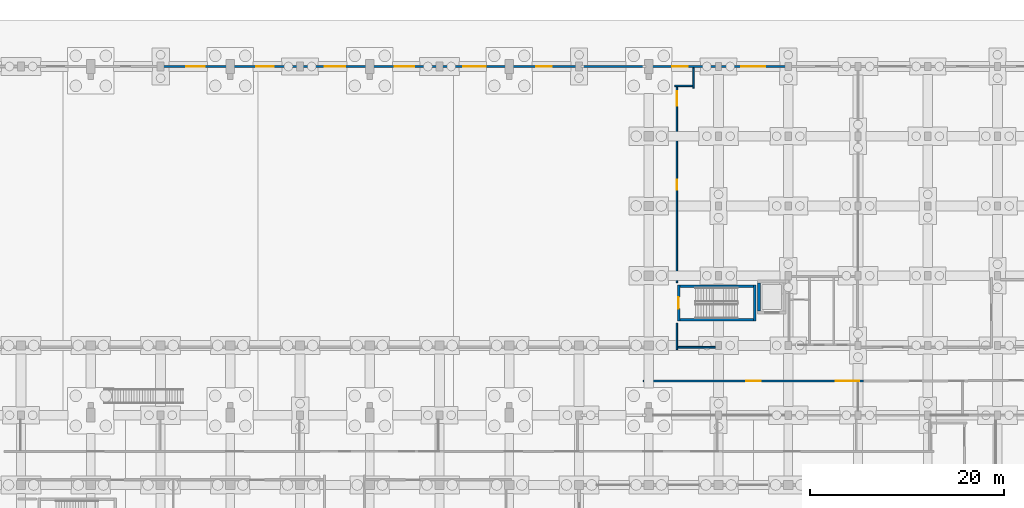
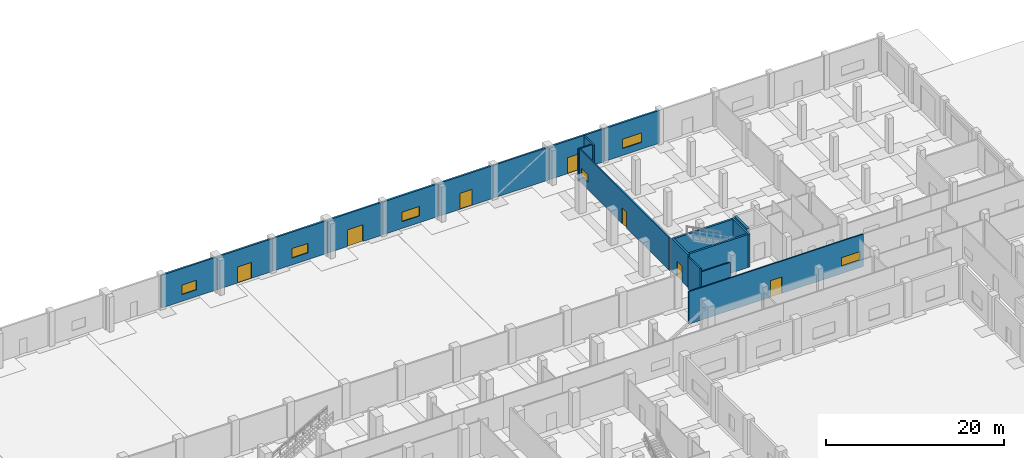
# One storey, part 30 of 48: 20 walls, 7 doors, 6 windows, 13 openings.
"""IFC4 building model written with IfcOpenShell, lengths in metres."""

from ifc_helpers import new_model, si_unit, direction, frame, frame_2d, origin, place, context, subcontext, project, spatial, rectangle, extrude, material, layer, layer_set, type_object, element, fill, save


model = new_model("IFC4")

# Units and contexts
model_context = context("Model", 3, precision=1e-05, world=origin(), true_north=direction((0.0, 1.0)))
body_context = subcontext(model_context, "Body", "Model", "MODEL_VIEW")
ifc_project = project(units=[si_unit("LENGTHUNIT", "METRE"), si_unit("AREAUNIT", "SQUARE_METRE"), si_unit("VOLUMEUNIT", "CUBIC_METRE"), si_unit("PLANEANGLEUNIT", "RADIAN"), si_unit("MASSUNIT", "GRAM", prefix="KILO")], contexts=[model_context])

# Site, building, storey
site_placement = place(None, origin())
site = spatial("IfcSite", under=ifc_project, at=site_placement, CompositionType="ELEMENT")
building_placement = place(site_placement, origin())
building = spatial("IfcBuilding", under=site, at=building_placement, Name="Seraya Terrace Polytechnic", CompositionType="ELEMENT")
storey_placement = place(building_placement, origin())
storey = spatial("IfcBuildingStorey", under=building, at=storey_placement, Name="L00", CompositionType="ELEMENT", Elevation=0.0)

# Wall, opening, window
ifc_material_1 = material(Name="Concrete C40/50", Category="concrete")
ifc_layer_1 = layer(ifc_material_1, 0.239990234375, Name="EW-04")
ifc_layer_set_1 = layer_set([ifc_layer_1], Name="Concrete C40/50")
wall_type_1 = type_object("IfcWallType", Name="EW-04", PredefinedType="SOLIDWALL", material=ifc_layer_set_1)
wall_1_placement = place(storey_placement, frame((64.800048828125, 115.199951171875, 0.0), z_axis=(0.0, 0.0, 1.0), x_axis=(1.0, 0.0, 0.0)))
wall_1 = element("IfcWall", 1, at=wall_1_placement, inside=storey, type_object=wall_type_1, Name="Exterior structural wall EW-04 L00", PredefinedType="SOLIDWALL", context=body_context, shape_type="SweptSolid", body=[
    extrude(rectangle(XDim=7.199951171875, YDim=0.239990234375, at=frame_2d((3.60009765625, 0.0))), origin(), (0.0, 0.0, 1.0), 4.52001953125),
])
opening_1_placement = place(wall_1_placement, frame((2.64990234375, 0.0, 0.949951171875)))
opening_1 = element("IfcOpeningElement", 2, at=opening_1_placement, cuts=wall_1, Name="Opening WN-07", PredefinedType="OPENING", context=body_context, shape_type="SweptSolid", body=[
    extrude(rectangle(XDim=1.89990234375, YDim=1.300048828125, at=frame_2d((0.949951171875, 0.64990234375))), frame((0.0, 0.1318359375, 0.0), z_axis=(0.0, -1.0, 0.0), x_axis=(1.0, 0.0, 0.0)), (0.0, 0.0, 1.0), 0.263916015625),
])
ifc_material_2 = material(Name="Laminated solar-control Low-E double glazing", Category="glass")
window_type_1 = type_object("IfcWindowType", Name="WN-07", PartitioningType="SINGLE_PANEL", PredefinedType="WINDOW", material=ifc_material_2)
window_1_placement = place(opening_1_placement, origin())
window_1 = element("IfcWindow", 3, at=window_1_placement, inside=storey, type_object=window_type_1, Name="Exterior window WN-07 L00", OverallHeight=1.300048828125, OverallWidth=1.89990234375, PartitioningType="SINGLE_PANEL", PredefinedType="WINDOW", context=body_context, shape_type="SweptSolid", body=[
    extrude(rectangle(XDim=1.89990234375, YDim=1.300048828125, at=frame_2d((0.949951171875, 0.64990234375))), frame((0.0, 0.030029296875, 0.0), z_axis=(0.0, -1.0, 0.0), x_axis=(1.0, 0.0, 0.0)), (0.0, 0.0, 1.0), 0.06005859375),
])
fill(opening_1, window_1)

# Wall, opening, door
wall_2_placement = place(storey_placement, frame((72.0, 115.199951171875, 0.0), z_axis=(0.0, 0.0, 1.0), x_axis=(1.0, 0.0, 0.0)))
wall_2 = element("IfcWall", 4, at=wall_2_placement, inside=storey, type_object=wall_type_1, Name="Exterior structural wall EW-04 L00", PredefinedType="SOLIDWALL", context=body_context, shape_type="SweptSolid", body=[
    extrude(rectangle(XDim=7.199951171875, YDim=0.239990234375, at=frame_2d((3.60009765625, 0.0))), origin(), (0.0, 0.0, 1.0), 4.52001953125),
])
opening_2_placement = place(wall_2_placement, frame((2.699951171875, 0.0, 0.0)))
opening_2 = element("IfcOpeningElement", 5, at=opening_2_placement, cuts=wall_2, Name="Opening ED-01", PredefinedType="OPENING", context=body_context, shape_type="SweptSolid", body=[
    extrude(rectangle(XDim=1.800048828125, YDim=2.199951171875, at=frame_2d((0.89990234375, 1.10009765625))), frame((0.0, 0.1318359375, 0.0), z_axis=(0.0, -1.0, 0.0), x_axis=(1.0, 0.0, 0.0)), (0.0, 0.0, 1.0), 0.263916015625),
])
ifc_material_3 = material(Name="Anodised aluminium EN AW-6063 T6", Category="aluminium")
door_type_1 = type_object("IfcDoorType", Name="ED-01", OperationType="DOUBLE_DOOR_SINGLE_SWING", PredefinedType="DOOR", material=ifc_material_3)
door_1_placement = place(opening_2_placement, origin())
door_1 = element("IfcDoor", 6, at=door_1_placement, inside=storey, type_object=door_type_1, Name="Door ED-01 DR-EXIT-L00-009 in WL-EXT-L00-04-08", OperationType="DOUBLE_DOOR_SINGLE_SWING", OverallHeight=2.199951171875, OverallWidth=1.800048828125, PredefinedType="DOOR", context=body_context, shape_type="SweptSolid", body=[
    extrude(rectangle(XDim=1.800048828125, YDim=2.199951171875, at=frame_2d((0.89990234375, 1.10009765625))), frame((0.0, 0.02490234375, 0.0), z_axis=(0.0, -1.0, 0.0), x_axis=(1.0, 0.0, 0.0)), (0.0, 0.0, 1.0), 0.050048828125),
])
fill(opening_2, door_1)

# Wall, opening, window
wall_3_placement = place(storey_placement, frame((79.199951171875, 115.199951171875, 0.0), z_axis=(0.0, 0.0, 1.0), x_axis=(1.0, 0.0, 0.0)))
wall_3 = element("IfcWall", 7, at=wall_3_placement, inside=storey, type_object=wall_type_1, Name="Exterior structural wall EW-04 L00", PredefinedType="SOLIDWALL", context=body_context, shape_type="SweptSolid", body=[
    extrude(rectangle(XDim=7.199951171875, YDim=0.239990234375, at=frame_2d((3.60009765625, 0.0))), origin(), (0.0, 0.0, 1.0), 4.52001953125),
])
opening_3_placement = place(wall_3_placement, frame((2.550048828125, 0.0, 0.949951171875)))
opening_3 = element("IfcOpeningElement", 8, at=opening_3_placement, cuts=wall_3, Name="Opening WN-08", PredefinedType="OPENING", context=body_context, shape_type="SweptSolid", body=[
    extrude(rectangle(XDim=2.10009765625, YDim=1.300048828125, at=frame_2d((1.050048828125, 0.64990234375))), frame((0.0, 0.1318359375, 0.0), z_axis=(0.0, -1.0, 0.0), x_axis=(1.0, 0.0, 0.0)), (0.0, 0.0, 1.0), 0.263916015625),
])
window_type_2 = type_object("IfcWindowType", Name="WN-08", PartitioningType="SINGLE_PANEL", PredefinedType="WINDOW", material=ifc_material_2)
window_2_placement = place(opening_3_placement, origin())
window_2 = element("IfcWindow", 9, at=window_2_placement, inside=storey, type_object=window_type_2, Name="Exterior window WN-08 L00", OverallHeight=1.300048828125, OverallWidth=2.10009765625, PartitioningType="SINGLE_PANEL", PredefinedType="WINDOW", context=body_context, shape_type="SweptSolid", body=[
    extrude(rectangle(XDim=2.10009765625, YDim=1.300048828125, at=frame_2d((1.050048828125, 0.64990234375))), frame((0.0, 0.030029296875, 0.0), z_axis=(0.0, -1.0, 0.0), x_axis=(1.0, 0.0, 0.0)), (0.0, 0.0, 1.0), 0.06005859375),
])
fill(opening_3, window_2)

# Wall, opening, door
wall_4_placement = place(storey_placement, frame((86.39990234375, 115.199951171875, 0.0), z_axis=(0.0, 0.0, 1.0), x_axis=(1.0, 0.0, 0.0)))
wall_4 = element("IfcWall", 10, at=wall_4_placement, inside=storey, type_object=wall_type_1, Name="Exterior structural wall EW-04 L00", PredefinedType="SOLIDWALL", context=body_context, shape_type="SweptSolid", body=[
    extrude(rectangle(XDim=7.2001953125, YDim=0.239990234375, at=frame_2d((3.60009765625, 0.0))), origin(), (0.0, 0.0, 1.0), 4.52001953125),
])
opening_4_placement = place(wall_4_placement, frame((2.60009765625, 0.0, 0.0)))
opening_4 = element("IfcOpeningElement", 11, at=opening_4_placement, cuts=wall_4, Name="Opening ED-02", PredefinedType="OPENING", context=body_context, shape_type="SweptSolid", body=[
    extrude(rectangle(XDim=2.0, YDim=2.300048828125, at=frame_2d((1.0, 1.14990234375))), frame((0.0, 0.1318359375, 0.0), z_axis=(0.0, -1.0, 0.0), x_axis=(1.0, 0.0, 0.0)), (0.0, 0.0, 1.0), 0.263916015625),
])
door_type_2 = type_object("IfcDoorType", Name="ED-02", OperationType="DOUBLE_DOOR_SINGLE_SWING", PredefinedType="DOOR", material=ifc_material_3)
door_2_placement = place(opening_4_placement, origin())
door_2 = element("IfcDoor", 12, at=door_2_placement, inside=storey, type_object=door_type_2, Name="Door ED-02 DR-EXIT-L00-010 in WL-EXT-L00-04-10", OperationType="DOUBLE_DOOR_SINGLE_SWING", OverallHeight=2.300048828125, OverallWidth=2.0, PredefinedType="DOOR", context=body_context, shape_type="SweptSolid", body=[
    extrude(rectangle(XDim=2.0, YDim=2.300048828125, at=frame_2d((1.0, 1.14990234375))), frame((0.0, 0.02490234375, 0.0), z_axis=(0.0, -1.0, 0.0), x_axis=(1.0, 0.0, 0.0)), (0.0, 0.0, 1.0), 0.050048828125),
])
fill(opening_4, door_2)

# Wall, opening, window
wall_5_placement = place(storey_placement, frame((93.60009765625, 115.199951171875, 0.0), z_axis=(0.0, 0.0, 1.0), x_axis=(1.0, 0.0, 0.0)))
wall_5 = element("IfcWall", 13, at=wall_5_placement, inside=storey, type_object=wall_type_1, Name="Exterior structural wall EW-04 L00", PredefinedType="SOLIDWALL", context=body_context, shape_type="SweptSolid", body=[
    extrude(rectangle(XDim=7.199951171875, YDim=0.239990234375, at=frame_2d((3.60009765625, 0.0))), origin(), (0.0, 0.0, 1.0), 4.52001953125),
])
opening_5_placement = place(wall_5_placement, frame((2.449951171875, 0.0, 0.949951171875)))
opening_5 = element("IfcOpeningElement", 14, at=opening_5_placement, cuts=wall_5, Name="Opening WN-09", PredefinedType="OPENING", context=body_context, shape_type="SweptSolid", body=[
    extrude(rectangle(XDim=2.300048828125, YDim=1.300048828125, at=frame_2d((1.14990234375, 0.64990234375))), frame((0.0, 0.1318359375, 0.0), z_axis=(0.0, -1.0, 0.0), x_axis=(1.0, 0.0, 0.0)), (0.0, 0.0, 1.0), 0.263916015625),
])
window_type_3 = type_object("IfcWindowType", Name="WN-09", PartitioningType="SINGLE_PANEL", PredefinedType="WINDOW", material=ifc_material_2)
window_3_placement = place(opening_5_placement, origin())
window_3 = element("IfcWindow", 15, at=window_3_placement, inside=storey, type_object=window_type_3, Name="Exterior window WN-09 L00", OverallHeight=1.300048828125, OverallWidth=2.300048828125, PartitioningType="SINGLE_PANEL", PredefinedType="WINDOW", context=body_context, shape_type="SweptSolid", body=[
    extrude(rectangle(XDim=2.300048828125, YDim=1.300048828125, at=frame_2d((1.14990234375, 0.64990234375))), frame((0.0, 0.030029296875, 0.0), z_axis=(0.0, -1.0, 0.0), x_axis=(1.0, 0.0, 0.0)), (0.0, 0.0, 1.0), 0.06005859375),
])
fill(opening_5, window_3)

# Wall, opening, door
wall_6_placement = place(storey_placement, frame((100.800048828125, 115.199951171875, 0.0), z_axis=(0.0, 0.0, 1.0), x_axis=(1.0, 0.0, 0.0)))
wall_6 = element("IfcWall", 16, at=wall_6_placement, inside=storey, type_object=wall_type_1, Name="Exterior structural wall EW-04 L00", PredefinedType="SOLIDWALL", context=body_context, shape_type="SweptSolid", body=[
    extrude(rectangle(XDim=7.199951171875, YDim=0.239990234375, at=frame_2d((3.60009765625, 0.0))), origin(), (0.0, 0.0, 1.0), 4.52001953125),
])
opening_6_placement = place(wall_6_placement, frame((2.800048828125, 0.0, 0.0)))
opening_6 = element("IfcOpeningElement", 17, at=opening_6_placement, cuts=wall_6, Name="Opening ED-03", PredefinedType="OPENING", context=body_context, shape_type="SweptSolid", body=[
    extrude(rectangle(XDim=1.60009765625, YDim=2.199951171875, at=frame_2d((0.800048828125, 1.10009765625))), frame((0.0, 0.1318359375, 0.0), z_axis=(0.0, -1.0, 0.0), x_axis=(1.0, 0.0, 0.0)), (0.0, 0.0, 1.0), 0.263916015625),
])
door_type_3 = type_object("IfcDoorType", Name="ED-03", OperationType="DOUBLE_DOOR_SINGLE_SWING", PredefinedType="DOOR", material=ifc_material_3)
door_3_placement = place(opening_6_placement, origin())
door_3 = element("IfcDoor", 18, at=door_3_placement, inside=storey, type_object=door_type_3, Name="Door ED-03 DR-EXIT-L00-011 in WL-EXT-L00-04-12", OperationType="DOUBLE_DOOR_SINGLE_SWING", OverallHeight=2.199951171875, OverallWidth=1.60009765625, PredefinedType="DOOR", context=body_context, shape_type="SweptSolid", body=[
    extrude(rectangle(XDim=1.60009765625, YDim=2.199951171875, at=frame_2d((0.800048828125, 1.10009765625))), frame((0.0, 0.02490234375, 0.0), z_axis=(0.0, -1.0, 0.0), x_axis=(1.0, 0.0, 0.0)), (0.0, 0.0, 1.0), 0.050048828125),
])
fill(opening_6, door_3)

# Wall
wall_7_placement = place(storey_placement, frame((108.0, 115.199951171875, 0.0), z_axis=(0.0, 0.0, 1.0), x_axis=(1.0, 0.0, 0.0)))
element("IfcWall", 19, at=wall_7_placement, inside=storey, type_object=wall_type_1, Name="Exterior structural wall EW-04 L00", PredefinedType="SOLIDWALL", context=body_context, shape_type="SweptSolid", body=[
    extrude(rectangle(XDim=7.199951171875, YDim=0.239990234375, at=frame_2d((3.60009765625, 0.0))), origin(), (0.0, 0.0, 1.0), 4.52001953125),
])

# Wall, opening, door
wall_8_placement = place(storey_placement, frame((115.199951171875, 115.199951171875, 0.0), z_axis=(0.0, 0.0, 1.0), x_axis=(1.0, 0.0, 0.0)))
wall_8 = element("IfcWall", 20, at=wall_8_placement, inside=storey, type_object=wall_type_1, Name="Exterior structural wall EW-04 L00", PredefinedType="SOLIDWALL", context=body_context, shape_type="SweptSolid", body=[
    extrude(rectangle(XDim=7.199951171875, YDim=0.239990234375, at=frame_2d((3.60009765625, 0.0))), origin(), (0.0, 0.0, 1.0), 4.52001953125),
])
opening_7_placement = place(wall_8_placement, frame((2.39990234375, 0.0, 0.0)))
opening_7 = element("IfcOpeningElement", 21, at=opening_7_placement, cuts=wall_8, Name="Opening ED-03", PredefinedType="OPENING", context=body_context, shape_type="SweptSolid", body=[
    extrude(rectangle(XDim=1.60009765625, YDim=2.199951171875, at=frame_2d((0.800048828125, 1.10009765625))), frame((0.0, 0.1318359375, 0.0), z_axis=(0.0, -1.0, 0.0), x_axis=(1.0, 0.0, 0.0)), (0.0, 0.0, 1.0), 0.263916015625),
])
door_4_placement = place(opening_7_placement, origin())
door_4 = element("IfcDoor", 22, at=door_4_placement, inside=storey, type_object=door_type_3, Name="Door ED-03 DR-STEXIT-ST-08 in WL-EXT-L00-04-14", OperationType="DOUBLE_DOOR_SINGLE_SWING", OverallHeight=2.199951171875, OverallWidth=1.60009765625, PredefinedType="DOOR", context=body_context, shape_type="SweptSolid", body=[
    extrude(rectangle(XDim=1.60009765625, YDim=2.199951171875, at=frame_2d((0.800048828125, 1.10009765625))), frame((0.0, 0.02490234375, 0.0), z_axis=(0.0, -1.0, 0.0), x_axis=(1.0, 0.0, 0.0)), (0.0, 0.0, 1.0), 0.050048828125),
])
fill(opening_7, door_4)

# Wall, opening, window
wall_9_placement = place(storey_placement, frame((122.39990234375, 115.199951171875, 0.0), z_axis=(0.0, 0.0, 1.0), x_axis=(1.0, 0.0, 0.0)))
wall_9 = element("IfcWall", 23, at=wall_9_placement, inside=storey, type_object=wall_type_1, Name="Exterior structural wall EW-04 L00", PredefinedType="SOLIDWALL", context=body_context, shape_type="SweptSolid", body=[
    extrude(rectangle(XDim=7.2001953125, YDim=0.239990234375, at=frame_2d((3.60009765625, 0.0))), origin(), (0.0, 0.0, 1.0), 4.52001953125),
])
opening_8_placement = place(wall_9_placement, frame((2.35009765625, 0.0, 0.949951171875)))
opening_8 = element("IfcOpeningElement", 24, at=opening_8_placement, cuts=wall_9, Name="Opening WN-10", PredefinedType="OPENING", context=body_context, shape_type="SweptSolid", body=[
    extrude(rectangle(XDim=2.5, YDim=1.300048828125, at=frame_2d((1.25, 0.64990234375))), frame((0.0, 0.1318359375, 0.0), z_axis=(0.0, -1.0, 0.0), x_axis=(1.0, 0.0, 0.0)), (0.0, 0.0, 1.0), 0.263916015625),
])
window_type_4 = type_object("IfcWindowType", Name="WN-10", PartitioningType="SINGLE_PANEL", PredefinedType="WINDOW", material=ifc_material_2)
window_4_placement = place(opening_8_placement, origin())
window_4 = element("IfcWindow", 25, at=window_4_placement, inside=storey, type_object=window_type_4, Name="Exterior window WN-10 L00", OverallHeight=1.300048828125, OverallWidth=2.5, PartitioningType="SINGLE_PANEL", PredefinedType="WINDOW", context=body_context, shape_type="SweptSolid", body=[
    extrude(rectangle(XDim=2.5, YDim=1.300048828125, at=frame_2d((1.25, 0.64990234375))), frame((0.0, 0.030029296875, 0.0), z_axis=(0.0, -1.0, 0.0), x_axis=(1.0, 0.0, 0.0)), (0.0, 0.0, 1.0), 0.06005859375),
])
fill(opening_8, window_4)

# Walls
ifc_material_4 = material(Name="Autoclaved aerated concrete blockwork", Category="masonry")
ifc_layer_2 = layer(ifc_material_4, 0.169921875, Name="PT-02")
ifc_layer_set_2 = layer_set([ifc_layer_2], Name="Autoclaved aerated concrete blockwork")
wall_type_2 = type_object("IfcWallType", Name="PT-02", PredefinedType="PARTITIONING", material=ifc_layer_set_2)
wall_10_placement = place(storey_placement, frame((119.800048828125, 112.9599609375, 0.0), z_axis=(0.0, 0.0, 1.0), x_axis=(0.0, 1.0, 0.0)))
element("IfcWall", 26, at=wall_10_placement, inside=storey, type_object=wall_type_2, Name="Internal partition PT-02 L00", PredefinedType="PARTITIONING", context=body_context, shape_type="SweptSolid", body=[
    extrude(rectangle(XDim=2.108154296875, YDim=0.169921875, at=frame_2d((1.05419921875, 0.0))), origin(), (0.0, 0.0, 1.0), 4.4599609375),
])
wall_11_placement = place(storey_placement, frame((117.860107421875, 113.199951171875, 0.0), z_axis=(0.0, 0.0, 1.0), x_axis=(1.0, 0.0, 0.0)))
element("IfcWall", 27, at=wall_11_placement, inside=storey, type_object=wall_type_2, Name="Internal partition PT-02 L00", PredefinedType="PARTITIONING", context=body_context, shape_type="SweptSolid", body=[
    extrude(rectangle(XDim=1.83984375, YDim=0.169921875, at=frame_2d((0.919921875, 0.0))), origin(), (0.0, 0.0, 1.0), 4.4599609375),
])

# Wall, openings, door, window
wall_12_placement = place(storey_placement, frame((118.10009765625, 92.8994140625, 0.0), z_axis=(0.0, 0.0, 1.0), x_axis=(0.0, 1.0, 0.0)))
wall_12 = element("IfcWall", 28, at=wall_12_placement, inside=storey, type_object=wall_type_2, Name="Internal partition PT-02 L00", PredefinedType="PARTITIONING", context=body_context, shape_type="SweptSolid", body=[
    extrude(rectangle(XDim=20.20068359375, YDim=0.169921875, at=frame_2d((10.100341796875, 0.0))), origin(), (0.0, 0.0, 1.0), 4.4599609375),
])
opening_9_placement = place(wall_12_placement, frame((9.580322265625, 0.0, 0.0)))
opening_9 = element("IfcOpeningElement", 29, at=opening_9_placement, cuts=wall_12, Name="Opening ID-04", PredefinedType="OPENING", context=body_context, shape_type="SweptSolid", body=[
    extrude(rectangle(XDim=1.0400390625, YDim=2.179931640625, at=frame_2d((0.52001953125, 1.08984375))), frame((0.0, 0.096923828125, 0.0), z_axis=(0.0, -1.0, 0.0), x_axis=(1.0, 0.0, 0.0)), (0.0, 0.0, 1.0), 0.19384765625),
])
opening_10_placement = place(wall_12_placement, frame((18.25048828125, 0.0, 1.050048828125)))
opening_10 = element("IfcOpeningElement", 30, at=opening_10_placement, cuts=wall_12, Name="Opening IW-01", PredefinedType="OPENING", context=body_context, shape_type="SweptSolid", body=[
    extrude(rectangle(XDim=1.5, YDim=1.050048828125, at=frame_2d((0.75, 0.52490234375))), frame((0.0, 0.096923828125, 0.0), z_axis=(0.0, -1.0, 0.0), x_axis=(1.0, 0.0, 0.0)), (0.0, 0.0, 1.0), 0.19384765625),
])
ifc_material_5 = material(Name="Malaysian dark red meranti hardwood timber D40", Category="wood")
door_type_4 = type_object("IfcDoorType", Name="ID-04", OperationType="NOTDEFINED", PredefinedType="DOOR", material=ifc_material_5)
door_5_placement = place(opening_9_placement, frame((1.0400390625, 0.0, 0.0), z_axis=(0.0, 0.0, 1.0), x_axis=(-1.0, 0.0, 0.0)))
door_5 = element("IfcDoor", 31, at=door_5_placement, inside=storey, type_object=door_type_4, Name="Door ID-04 DR-INT-L00-0001 in WL-INT-L00-0013", OperationType="SINGLE_SWING_RIGHT", OverallHeight=2.179931640625, OverallWidth=1.0400390625, PredefinedType="DOOR", context=body_context, shape_type="SweptSolid", body=[
    extrude(rectangle(XDim=1.0400390625, YDim=2.179931640625, at=frame_2d((0.52001953125, 1.08984375))), frame((0.0, 0.02490234375, 0.0), z_axis=(0.0, -1.0, 0.0), x_axis=(1.0, 0.0, 0.0)), (0.0, 0.0, 1.0), 0.050048828125),
])
fill(opening_9, door_5)
window_type_5 = type_object("IfcWindowType", Name="IW-01", PartitioningType="SINGLE_PANEL", PredefinedType="WINDOW", material=ifc_material_2)
window_5_placement = place(opening_10_placement, origin())
window_5 = element("IfcWindow", 32, at=window_5_placement, inside=storey, type_object=window_type_5, Name="Internal lab vision window IW-01 L00", OverallHeight=1.050048828125, OverallWidth=1.5, PartitioningType="SINGLE_PANEL", PredefinedType="WINDOW", context=body_context, shape_type="SweptSolid", body=[
    extrude(rectangle(XDim=1.5, YDim=1.050048828125, at=frame_2d((0.75, 0.52490234375))), frame((0.0, 0.030029296875, 0.0), z_axis=(0.0, -1.0, 0.0), x_axis=(1.0, 0.0, 0.0)), (0.0, 0.0, 1.0), 0.06005859375),
])
fill(opening_10, window_5)

# Walls
wall_13_placement = place(storey_placement, frame((118.10009765625, 85.9599609375, 0.0), z_axis=(0.0, 0.0, 1.0), x_axis=(0.0, 1.0, 0.0)))
element("IfcWall", 33, at=wall_13_placement, inside=storey, type_object=wall_type_2, Name="Internal partition PT-02 L00", PredefinedType="PARTITIONING", context=body_context, shape_type="SweptSolid", body=[
    extrude(rectangle(XDim=2.740478515625, YDim=0.169921875, at=frame_2d((1.3701171875, 0.0))), origin(), (0.0, 0.0, 1.0), 4.4599609375),
])
wall_14_placement = place(storey_placement, frame((118.199951171875, 86.219970703125, 0.0), z_axis=(0.0, 0.0, 1.0), x_axis=(1.0, 0.0, 0.0)))
element("IfcWall", 34, at=wall_14_placement, inside=storey, type_object=wall_type_2, Name="Internal partition PT-02 L00", PredefinedType="PARTITIONING", context=body_context, shape_type="SweptSolid", body=[
    extrude(rectangle(XDim=3.864990234375, YDim=0.169921875, at=frame_2d((1.9326171875, 0.0))), origin(), (0.0, 0.0, 1.0), 3.800048828125),
])

# Wall, openings, door, window
wall_15_placement = place(storey_placement, frame((114.639892578125, 82.72998046875, 0.0), z_axis=(0.0, 0.0, 1.0), x_axis=(1.0, 0.0, 0.0)))
wall_15 = element("IfcWall", 35, at=wall_15_placement, inside=storey, type_object=wall_type_2, Name="Internal partition PT-02 L00", PredefinedType="PARTITIONING", context=body_context, shape_type="SweptSolid", body=[
    extrude(rectangle(XDim=22.72021484375, YDim=0.169921875, at=frame_2d((11.360107421875, 0.0))), origin(), (0.0, 0.0, 1.0), 4.4599609375),
])
opening_11_placement = place(wall_15_placement, frame((10.6201171875, 0.0, 0.0)))
opening_11 = element("IfcOpeningElement", 36, at=opening_11_placement, cuts=wall_15, Name="Opening ID-11", PredefinedType="OPENING", context=body_context, shape_type="SweptSolid", body=[
    extrude(rectangle(XDim=1.47998046875, YDim=2.260009765625, at=frame_2d((0.739990234375, 1.1298828125))), frame((0.0, 0.096923828125, 0.0), z_axis=(0.0, -1.0, 0.0), x_axis=(1.0, 0.0, 0.0)), (0.0, 0.0, 1.0), 0.19384765625),
])
opening_12_placement = place(wall_15_placement, frame((19.8701171875, 0.0, 1.050048828125)))
opening_12 = element("IfcOpeningElement", 37, at=opening_12_placement, cuts=wall_15, Name="Opening IW-04", PredefinedType="OPENING", context=body_context, shape_type="SweptSolid", body=[
    extrude(rectangle(XDim=2.39990234375, YDim=1.14990234375, at=frame_2d((1.199951171875, 0.574951171875))), frame((0.0, 0.096923828125, 0.0), z_axis=(0.0, -1.0, 0.0), x_axis=(1.0, 0.0, 0.0)), (0.0, 0.0, 1.0), 0.19384765625),
])
door_type_5 = type_object("IfcDoorType", Name="ID-11", OperationType="DOUBLE_DOOR_SINGLE_SWING", PredefinedType="DOOR", material=ifc_material_5)
door_6_placement = place(opening_11_placement, origin())
door_6 = element("IfcDoor", 38, at=door_6_placement, inside=storey, type_object=door_type_5, Name="Door ID-11 DR-INT-L00-0056 in WL-INT-L00-0094", OperationType="DOUBLE_DOOR_SINGLE_SWING", OverallHeight=2.260009765625, OverallWidth=1.47998046875, PredefinedType="DOOR", context=body_context, shape_type="SweptSolid", body=[
    extrude(rectangle(XDim=1.47998046875, YDim=2.260009765625, at=frame_2d((0.739990234375, 1.1298828125))), frame((0.0, 0.02490234375, 0.0), z_axis=(0.0, -1.0, 0.0), x_axis=(1.0, 0.0, 0.0)), (0.0, 0.0, 1.0), 0.050048828125),
])
fill(opening_11, door_6)
window_type_6 = type_object("IfcWindowType", Name="IW-04", PartitioningType="SINGLE_PANEL", PredefinedType="WINDOW", material=ifc_material_2)
window_6_placement = place(opening_12_placement, origin())
window_6 = element("IfcWindow", 39, at=window_6_placement, inside=storey, type_object=window_type_6, Name="Internal lab vision window IW-04 L00", OverallHeight=1.14990234375, OverallWidth=2.39990234375, PartitioningType="SINGLE_PANEL", PredefinedType="WINDOW", context=body_context, shape_type="SweptSolid", body=[
    extrude(rectangle(XDim=2.39990234375, YDim=1.14990234375, at=frame_2d((1.199951171875, 0.574951171875))), frame((0.0, 0.030029296875, 0.0), z_axis=(0.0, -1.0, 0.0), x_axis=(1.0, 0.0, 0.0)), (0.0, 0.0, 1.0), 0.06005859375),
])
fill(opening_12, window_6)

# Wall
ifc_layer_3 = layer(ifc_material_1, 0.300048828125, Name="SW-01")
ifc_layer_set_3 = layer_set([ifc_layer_3], Name="Concrete C40/50")
wall_type_3 = type_object("IfcWallType", Name="SW-01", PredefinedType="SHEAR", material=ifc_layer_set_3)
wall_16_placement = place(storey_placement, frame((126.60009765625, 89.949951171875, 0.0), z_axis=(0.0, 0.0, 1.0), x_axis=(0.0, 1.0, 0.0)))
element("IfcWall", 40, at=wall_16_placement, inside=storey, type_object=wall_type_3, Name="Lift shaft GL-01 West wall L00", PredefinedType="SHEAR", context=body_context, shape_type="SweptSolid", body=[
    extrude(rectangle(XDim=2.900146484375, YDim=0.300048828125, at=frame_2d((1.4501953125, 0.0))), origin(), (0.0, 0.0, 1.0), 4.550048828125),
])

# Wall, opening, door
ifc_layer_4 = layer(ifc_material_1, 0.25, Name="SW-02")
ifc_layer_set_4 = layer_set([ifc_layer_4], Name="Concrete C40/50")
wall_type_4 = type_object("IfcWallType", Name="SW-02", PredefinedType="SHEAR", material=ifc_layer_set_4)
wall_17_placement = place(storey_placement, frame((118.27490234375, 88.949951171875, 0.0), z_axis=(0.0, 0.0, 1.0), x_axis=(0.0, 1.0, 0.0)))
wall_17 = element("IfcWall", 41, at=wall_17_placement, inside=storey, type_object=wall_type_4, Name="Stairwell ST-08 West wall L00", PredefinedType="SHEAR", context=body_context, shape_type="SweptSolid", body=[
    extrude(rectangle(XDim=3.699951171875, YDim=0.25, at=frame_2d((1.85009765625, 0.0))), origin(), (0.0, 0.0, 1.0), 4.550048828125),
])
opening_13_placement = place(wall_17_placement, frame((1.25, 0.0, 0.0)))
opening_13 = element("IfcOpeningElement", 42, at=opening_13_placement, cuts=wall_17, Name="Opening FD-01", PredefinedType="OPENING", context=body_context, shape_type="SweptSolid", body=[
    extrude(rectangle(XDim=1.199951171875, YDim=2.14990234375, at=frame_2d((0.60009765625, 1.074951171875))), frame((0.0, 0.136962890625, 0.0), z_axis=(0.0, -1.0, 0.0), x_axis=(1.0, 0.0, 0.0)), (0.0, 0.0, 1.0), 0.27392578125),
])
ifc_material_6 = material(Name="Steel S355J2", Category="steel")
door_type_6 = type_object("IfcDoorType", Name="FD-01", OperationType="NOTDEFINED", PredefinedType="DOOR", material=ifc_material_6)
door_7_placement = place(opening_13_placement, origin())
door_7 = element("IfcDoor", 43, at=door_7_placement, inside=storey, type_object=door_type_6, Name="Door FD-01 DR-STR-ST-08-L00 in WL-STR-ST-08-L00-W", OperationType="SINGLE_SWING_RIGHT", OverallHeight=2.14990234375, OverallWidth=1.199951171875, PredefinedType="DOOR", context=body_context, shape_type="SweptSolid", body=[
    extrude(rectangle(XDim=1.199951171875, YDim=2.14990234375, at=frame_2d((0.60009765625, 1.074951171875))), frame((0.0, 0.02490234375, 0.0), z_axis=(0.0, -1.0, 0.0), x_axis=(1.0, 0.0, 0.0)), (0.0, 0.0, 1.0), 0.050048828125),
])
fill(opening_13, door_7)

# Walls
wall_18_placement = place(storey_placement, frame((126.125, 88.949951171875, 0.0), z_axis=(0.0, 0.0, 1.0), x_axis=(0.0, 1.0, 0.0)))
element("IfcWall", 44, at=wall_18_placement, inside=storey, type_object=wall_type_4, Name="Stairwell ST-08 East wall L00", PredefinedType="SHEAR", context=body_context, shape_type="SweptSolid", body=[
    extrude(rectangle(XDim=3.699951171875, YDim=0.25, at=frame_2d((1.85009765625, 0.0))), origin(), (0.0, 0.0, 1.0), 4.550048828125),
])
for number, where, z_axis, x_axis, name in (
    (45, (118.39990234375, 89.074951171875, 0.0), (0.0, 0.0, 1.0), (1.0, 0.0, 0.0), "Stairwell ST-08 South wall L00"),
    (46, (118.39990234375, 92.52490234375, 0.0), (0.0, 0.0, 1.0), (1.0, 0.0, 0.0), "Stairwell ST-08 North wall L00"),
):
    element("IfcWall", number, at=place(storey_placement, frame(where, z_axis=z_axis, x_axis=x_axis)), inside=storey, type_object=wall_type_4, Name=name, PredefinedType="SHEAR", context=body_context, shape_type="SweptSolid", body=[
        extrude(rectangle(XDim=7.60009765625, YDim=0.25, at=frame_2d((3.800048828125, 0.0))), origin(), (0.0, 0.0, 1.0), 4.550048828125),
    ])

save(model, "model.ifc")
